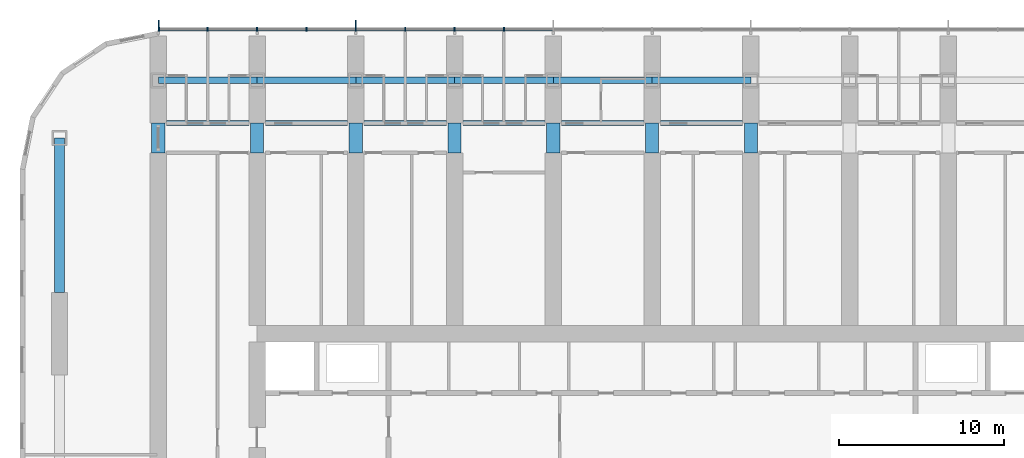
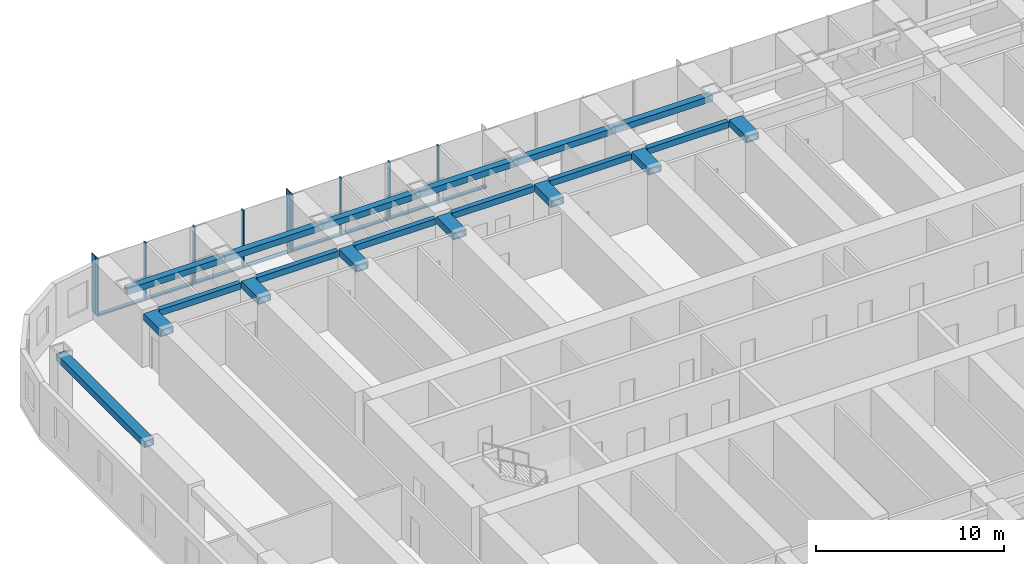
# One storey, part 4 of 23: 20 beams, 18 members, 1 element without a shape of its own.
"""IFC4 building model written with IfcOpenShell, lengths in metres."""

from ifc_helpers import new_model, si_unit, direction, frame, origin, origin_2d, place, context, subcontext, project, spatial, rectangle, hollow_rectangle, extrude, material, material_profile, profile_set, type_object, element, aggregate, save


model = new_model("IFC4")

# Units and contexts
model_context = context("Model", 3, precision=1e-05, world=origin(), true_north=direction((0.0, 1.0)))
body_context = subcontext(model_context, "Body", "Model", "MODEL_VIEW")
ifc_project = project(units=[si_unit("LENGTHUNIT", "METRE"), si_unit("AREAUNIT", "SQUARE_METRE"), si_unit("VOLUMEUNIT", "CUBIC_METRE"), si_unit("PLANEANGLEUNIT", "RADIAN"), si_unit("MASSUNIT", "GRAM", prefix="KILO")], contexts=[model_context])

# Site, building, storey
site_placement = place(None, origin())
site = spatial("IfcSite", under=ifc_project, at=site_placement, CompositionType="ELEMENT")
building_placement = place(site_placement, origin())
building = spatial("IfcBuilding", under=site, at=building_placement, Name="Orbita Commons", CompositionType="ELEMENT")
storey_placement = place(building_placement, frame((0.0, 0.0, 46.449951171875)))
storey = spatial("IfcBuildingStorey", under=building, at=storey_placement, Name="L11", CompositionType="ELEMENT", Elevation=46.449951171875)

# Curtain wall, members
ifc_material_1 = material(Name="Anodised aluminium frame, pale silver", Category="aluminium")
curtain_wall_type = type_object("IfcCurtainWallType", Name="Unitised curtain wall CW-T, vision and spandrel", PredefinedType="NOTDEFINED", material=ifc_material_1)
curtain_wall_placement = place(storey_placement, origin())
curtain_wall = element("IfcCurtainWall", 1, at=curtain_wall_placement, inside=storey, type_object=curtain_wall_type, Name="Curtain wall north L11", PredefinedType="NOTDEFINED")
ifc_material_2 = material(Name="Anodised aluminium, pale silver", Category="aluminium")
ifc_material_profile_1 = material_profile(ifc_material_2, rectangle(XDim=0.080078125, YDim=0.219970703125, at=origin_2d()), Name="AL 80x220")
ifc_profile_set_1 = profile_set([ifc_material_profile_1], Name="Anodised aluminium, pale silver")
member_type_1 = type_object("IfcMemberType", Name="Curtain wall mullion 80x220", PredefinedType="MULLION", material=ifc_profile_set_1)
member_1_placement = place(storey_placement, frame((33.0, 56.7099609375, -0.25), z_axis=(0.0, 0.0, 1.0), x_axis=(-1.0, 0.0, 0.0)))
member_1 = element("IfcMember", 2, at=member_1_placement, type_object=member_type_1, Name="Mullion 14 CW-L11-N", PredefinedType="MULLION", context=body_context, shape_type="SweptSolid", body=[
    extrude(rectangle(XDim=0.080078125, YDim=0.219970703125, at=origin_2d()), origin(), (0.0, 0.0, 1.0), 3.75),
])
member_2_placement = place(storey_placement, frame((30.0, 56.7099609375, -0.25), z_axis=(0.0, 0.0, 1.0), x_axis=(-1.0, 0.0, 0.0)))
member_2 = element("IfcMember", 3, at=member_2_placement, type_object=member_type_1, Name="Mullion 15 CW-L11-N", PredefinedType="MULLION", context=body_context, shape_type="SweptSolid", body=[
    extrude(rectangle(XDim=0.080078125, YDim=0.219970703125, at=origin_2d()), origin(), (0.0, 0.0, 1.0), 3.75),
])
member_3_placement = place(storey_placement, frame((27.0, 56.7099609375, -0.25), z_axis=(0.0, 0.0, 1.0), x_axis=(-1.0, 0.0, 0.0)))
member_3 = element("IfcMember", 4, at=member_3_placement, type_object=member_type_1, Name="Mullion 16 CW-L11-N", PredefinedType="MULLION", context=body_context, shape_type="SweptSolid", body=[
    extrude(rectangle(XDim=0.080078125, YDim=0.219970703125, at=origin_2d()), origin(), (0.0, 0.0, 1.0), 3.75),
])
member_4_placement = place(storey_placement, frame((24.0, 56.7099609375, -0.25), z_axis=(0.0, 0.0, 1.0), x_axis=(-1.0, 0.0, 0.0)))
member_4 = element("IfcMember", 5, at=member_4_placement, type_object=member_type_1, Name="Mullion 17 CW-L11-N", PredefinedType="MULLION", context=body_context, shape_type="SweptSolid", body=[
    extrude(rectangle(XDim=0.080078125, YDim=0.219970703125, at=origin_2d()), origin(), (0.0, 0.0, 1.0), 3.75),
])
member_5_placement = place(storey_placement, frame((21.0, 56.7099609375, -0.25), z_axis=(0.0, 0.0, 1.0), x_axis=(-1.0, 0.0, 0.0)))
member_5 = element("IfcMember", 6, at=member_5_placement, type_object=member_type_1, Name="Mullion 18 CW-L11-N", PredefinedType="MULLION", context=body_context, shape_type="SweptSolid", body=[
    extrude(rectangle(XDim=0.080078125, YDim=0.219970703125, at=origin_2d()), origin(), (0.0, 0.0, 1.0), 3.75),
])
member_6_placement = place(storey_placement, frame((18.0, 56.7099609375, -0.25), z_axis=(0.0, 0.0, 1.0), x_axis=(-1.0, 0.0, 0.0)))
member_6 = element("IfcMember", 7, at=member_6_placement, type_object=member_type_1, Name="Mullion 19 CW-L11-N", PredefinedType="MULLION", context=body_context, shape_type="SweptSolid", body=[
    extrude(rectangle(XDim=0.080078125, YDim=0.219970703125, at=origin_2d()), origin(), (0.0, 0.0, 1.0), 3.75),
])
member_7_placement = place(storey_placement, frame((15.0, 56.7099609375, -0.25), z_axis=(0.0, 0.0, 1.0), x_axis=(-1.0, 0.0, 0.0)))
member_7 = element("IfcMember", 8, at=member_7_placement, type_object=member_type_1, Name="Mullion 20 CW-L11-N", PredefinedType="MULLION", context=body_context, shape_type="SweptSolid", body=[
    extrude(rectangle(XDim=0.080078125, YDim=0.219970703125, at=origin_2d()), origin(), (0.0, 0.0, 1.0), 3.75),
])
member_8_placement = place(storey_placement, frame((12.0400390625, 56.7099609375, -0.25), z_axis=(0.0, 0.0, 1.0), x_axis=(-1.0, 0.0, 0.0)))
member_8 = element("IfcMember", 9, at=member_8_placement, type_object=member_type_1, Name="Mullion 21 CW-L11-N", PredefinedType="MULLION", context=body_context, shape_type="SweptSolid", body=[
    extrude(rectangle(XDim=0.080078125, YDim=0.219970703125, at=origin_2d()), origin(), (0.0, 0.0, 1.0), 3.75),
])
ifc_material_3 = material(Name="Anodised aluminium, pale silver", Category="aluminium")
ifc_material_profile_2 = material_profile(ifc_material_3, rectangle(XDim=0.219970703125, YDim=0.10009765625, at=origin_2d()), Name="AL 220x100")
ifc_profile_set_2 = profile_set([ifc_material_profile_2], Name="Anodised aluminium, pale silver")
member_type_2 = type_object("IfcMemberType", Name="Curtain wall stack transom 220x100", PredefinedType="USERDEFINED", material=ifc_profile_set_2)
member_9_placement = place(storey_placement, frame((35.9599609375, 56.7099609375, -0.199951171875), z_axis=(-1.0, 0.0, 0.0), x_axis=(0.0, -1.0, 0.0)))
member_9 = element("IfcMember", 10, at=member_9_placement, type_object=member_type_2, Name="Transom 13.1 CW-L11-N", ObjectType="TRANSOM", PredefinedType="USERDEFINED", context=body_context, shape_type="SweptSolid", body=[
    extrude(rectangle(XDim=0.219970703125, YDim=0.10009765625, at=origin_2d()), origin(), (0.0, 0.0, 1.0), 2.919921875),
])
member_10_placement = place(storey_placement, frame((32.9599609375, 56.7099609375, -0.199951171875), z_axis=(-1.0, 0.0, 0.0), x_axis=(0.0, -1.0, 0.0)))
member_10 = element("IfcMember", 11, at=member_10_placement, type_object=member_type_2, Name="Transom 14.1 CW-L11-N", ObjectType="TRANSOM", PredefinedType="USERDEFINED", context=body_context, shape_type="SweptSolid", body=[
    extrude(rectangle(XDim=0.219970703125, YDim=0.10009765625, at=origin_2d()), origin(), (0.0, 0.0, 1.0), 2.919921875),
])
member_11_placement = place(storey_placement, frame((29.9599609375, 56.7099609375, -0.199951171875), z_axis=(-1.0, 0.0, 0.0), x_axis=(0.0, -1.0, 0.0)))
member_11 = element("IfcMember", 12, at=member_11_placement, type_object=member_type_2, Name="Transom 15.1 CW-L11-N", ObjectType="TRANSOM", PredefinedType="USERDEFINED", context=body_context, shape_type="SweptSolid", body=[
    extrude(rectangle(XDim=0.219970703125, YDim=0.10009765625, at=origin_2d()), origin(), (0.0, 0.0, 1.0), 2.919921875),
])
member_12_placement = place(storey_placement, frame((26.9599609375, 56.7099609375, -0.199951171875), z_axis=(-1.0, 0.0, 0.0), x_axis=(0.0, -1.0, 0.0)))
member_12 = element("IfcMember", 13, at=member_12_placement, type_object=member_type_2, Name="Transom 16.1 CW-L11-N", ObjectType="TRANSOM", PredefinedType="USERDEFINED", context=body_context, shape_type="SweptSolid", body=[
    extrude(rectangle(XDim=0.219970703125, YDim=0.10009765625, at=origin_2d()), origin(), (0.0, 0.0, 1.0), 2.919921875),
])
member_13_placement = place(storey_placement, frame((23.9599609375, 56.7099609375, -0.199951171875), z_axis=(-1.0, 0.0, 0.0), x_axis=(0.0, -1.0, 0.0)))
member_13 = element("IfcMember", 14, at=member_13_placement, type_object=member_type_2, Name="Transom 17.1 CW-L11-N", ObjectType="TRANSOM", PredefinedType="USERDEFINED", context=body_context, shape_type="SweptSolid", body=[
    extrude(rectangle(XDim=0.219970703125, YDim=0.10009765625, at=origin_2d()), origin(), (0.0, 0.0, 1.0), 2.919921875),
])
member_14_placement = place(storey_placement, frame((20.9599609375, 56.7099609375, -0.199951171875), z_axis=(-1.0, 0.0, 0.0), x_axis=(0.0, -1.0, 0.0)))
member_14 = element("IfcMember", 15, at=member_14_placement, type_object=member_type_2, Name="Transom 18.1 CW-L11-N", ObjectType="TRANSOM", PredefinedType="USERDEFINED", context=body_context, shape_type="SweptSolid", body=[
    extrude(rectangle(XDim=0.219970703125, YDim=0.10009765625, at=origin_2d()), origin(), (0.0, 0.0, 1.0), 2.919921875),
])
member_15_placement = place(storey_placement, frame((17.9599609375, 56.7099609375, -0.199951171875), z_axis=(-1.0, 0.0, 0.0), x_axis=(0.0, -1.0, 0.0)))
member_15 = element("IfcMember", 16, at=member_15_placement, type_object=member_type_2, Name="Transom 19.1 CW-L11-N", ObjectType="TRANSOM", PredefinedType="USERDEFINED", context=body_context, shape_type="SweptSolid", body=[
    extrude(rectangle(XDim=0.219970703125, YDim=0.10009765625, at=origin_2d()), origin(), (0.0, 0.0, 1.0), 2.919921875),
])
member_16_placement = place(storey_placement, frame((14.9599609375, 56.7099609375, -0.199951171875), z_axis=(-1.0, 0.0, 0.0), x_axis=(0.0, -1.0, 0.0)))
member_16 = element("IfcMember", 17, at=member_16_placement, type_object=member_type_2, Name="Transom 20.1 CW-L11-N", ObjectType="TRANSOM", PredefinedType="USERDEFINED", context=body_context, shape_type="SweptSolid", body=[
    extrude(rectangle(XDim=0.219970703125, YDim=0.10009765625, at=origin_2d()), origin(), (0.0, 0.0, 1.0), 2.8798828125),
])

# Beams
ifc_material_4 = material(Name="Steel ASTM A572 Gr 50 welded plate", Category="steel")
ifc_material_profile_3 = material_profile(ifc_material_4, hollow_rectangle(XDim=0.300048828125, YDim=0.39990234375, WallThickness=0.0400390625, at=origin_2d()), Name="BOX 400x300x40")
ifc_profile_set_3 = profile_set([ifc_material_profile_3], Name="Steel ASTM A572 Gr 50 welded plate")
beam_type_1 = type_object("IfcBeamType", Name="Steel corridor link BOX 400x300x40", PredefinedType="BEAM", material=ifc_profile_set_3)
for number, where, z_axis, x_axis, name in (
    (18, (12.5, 51.0, 3.300048828125), (1.0, 0.0, 0.0), (0.0, 1.0, 0.0), "Corridor beam NB 3-4 L11"),
    (19, (18.5, 51.0, 3.300048828125), (1.0, 0.0, 0.0), (0.0, 1.0, 0.0), "Corridor beam NB 4-5 L11"),
    (20, (24.5, 51.0, 3.300048828125), (1.0, 0.0, 0.0), (0.0, 1.0, 0.0), "Corridor beam NB 5-6 L11"),
    (21, (30.5, 51.0, 3.300048828125), (1.0, 0.0, 0.0), (0.0, 1.0, 0.0), "Corridor beam NB 6-7 L11"),
    (22, (36.5, 51.0, 3.300048828125), (1.0, 0.0, 0.0), (0.0, 1.0, 0.0), "Corridor beam NB 7-8 L11"),
    (23, (42.5, 51.0, 3.300048828125), (1.0, 0.0, 0.0), (0.0, 1.0, 0.0), "Corridor beam NB 8-9 L11"),
):
    element("IfcBeam", number, at=place(storey_placement, frame(where, z_axis=z_axis, x_axis=x_axis)), inside=storey, type_object=beam_type_1, Name=name, PredefinedType="BEAM", context=body_context, shape_type="SweptSolid", body=[
        extrude(hollow_rectangle(XDim=0.300048828125, YDim=0.39990234375, WallThickness=0.0400390625, at=origin_2d()), origin(), (0.0, 0.0, 1.0), 5.0),
    ])
ifc_material_5 = material(Name="Steel ASTM A572 Gr 50 welded plate", Category="steel")
ifc_material_profile_4 = material_profile(ifc_material_5, hollow_rectangle(XDim=0.800048828125, YDim=0.449951171875, WallThickness=0.06005859375, at=origin_2d()), Name="BOX 450x800x60")
ifc_profile_set_4 = profile_set([ifc_material_profile_4], Name="Steel ASTM A572 Gr 50 welded plate")
beam_type_2 = type_object("IfcBeamType", Name="Steel coupling link BOX 450x800x60", PredefinedType="LINTEL", material=ifc_profile_set_4)
for number, where, z_axis, x_axis, name in (
    (24, (12.0, 49.199951171875, 3.275146484375), (0.0, 1.0, 0.0), (-1.0, 0.0, 0.0), "Coupling beam 3 north L11"),
    (25, (18.0, 49.199951171875, 3.275146484375), (0.0, 1.0, 0.0), (-1.0, 0.0, 0.0), "Coupling beam 4 north L11"),
    (26, (24.0, 49.199951171875, 3.275146484375), (0.0, 1.0, 0.0), (-1.0, 0.0, 0.0), "Coupling beam 5 north L11"),
    (27, (30.0, 49.199951171875, 3.275146484375), (0.0, 1.0, 0.0), (-1.0, 0.0, 0.0), "Coupling beam 6 north L11"),
    (28, (36.0, 49.199951171875, 3.275146484375), (0.0, 1.0, 0.0), (-1.0, 0.0, 0.0), "Coupling beam 7 north L11"),
    (29, (42.0, 49.199951171875, 3.275146484375), (0.0, 1.0, 0.0), (-1.0, 0.0, 0.0), "Coupling beam 8 north L11"),
    (30, (48.0, 49.199951171875, 3.275146484375), (0.0, 1.0, 0.0), (-1.0, 0.0, 0.0), "Coupling beam 9 north L11"),
):
    element("IfcBeam", number, at=place(storey_placement, frame(where, z_axis=z_axis, x_axis=x_axis)), inside=storey, type_object=beam_type_2, Name=name, PredefinedType="LINTEL", context=body_context, shape_type="SweptSolid", body=[
        extrude(hollow_rectangle(XDim=0.800048828125, YDim=0.449951171875, WallThickness=0.06005859375, at=origin_2d()), origin(), (0.0, 0.0, 1.0), 1.800048828125),
    ])
ifc_material_6 = material(Name="Steel ASTM A572 Gr 50 welded plate", Category="steel")
ifc_material_profile_5 = material_profile(ifc_material_6, hollow_rectangle(XDim=0.60009765625, YDim=0.449951171875, WallThickness=0.06005859375, at=origin_2d()), Name="BOX 450x600x60")
ifc_profile_set_5 = profile_set([ifc_material_profile_5], Name="Steel ASTM A572 Gr 50 welded plate")
beam_type_3 = type_object("IfcBeamType", Name="Steel end frame link BOX 450x600x60", PredefinedType="BEAM", material=ifc_profile_set_5)
beam_placement = place(storey_placement, frame((6.0, 40.699951171875, 3.275146484375), z_axis=(0.0, 1.0, 0.0), x_axis=(-1.0, 0.0, 0.0)))
element("IfcBeam", 31, at=beam_placement, inside=storey, type_object=beam_type_3, Name="End frame beam 2 D-E L11", PredefinedType="BEAM", context=body_context, shape_type="SweptSolid", body=[
    extrude(hollow_rectangle(XDim=0.60009765625, YDim=0.449951171875, WallThickness=0.06005859375, at=origin_2d()), origin(), (0.0, 0.0, 1.0), 9.400146484375),
])
ifc_material_7 = material(Name="Steel ASTM A572 Gr 50 welded plate", Category="steel")
ifc_material_profile_6 = material_profile(ifc_material_7, hollow_rectangle(XDim=0.39990234375, YDim=0.39990234375, WallThickness=0.0400390625, at=origin_2d()), Name="BOX 400x400x40")
ifc_profile_set_6 = profile_set([ifc_material_profile_6], Name="Steel ASTM A572 Gr 50 welded plate")
beam_type_4 = type_object("IfcBeamType", Name="Steel spandrel BOX 400x400x40", PredefinedType="SPANDREL", material=ifc_profile_set_6)
for number, where, z_axis, x_axis, name in (
    (32, (12.0, 53.60009765625, 3.300048828125), (1.0, 0.0, 0.0), (0.0, 1.0, 0.0), "Spandrel beam E 3-4 L11"),
    (33, (18.0, 53.60009765625, 3.300048828125), (1.0, 0.0, 0.0), (0.0, 1.0, 0.0), "Spandrel beam E 4-5 L11"),
    (34, (24.0, 53.60009765625, 3.300048828125), (1.0, 0.0, 0.0), (0.0, 1.0, 0.0), "Spandrel beam E 5-6 L11"),
    (35, (30.0, 53.60009765625, 3.300048828125), (1.0, 0.0, 0.0), (0.0, 1.0, 0.0), "Spandrel beam E 6-7 L11"),
    (36, (36.0, 53.60009765625, 3.300048828125), (1.0, 0.0, 0.0), (0.0, 1.0, 0.0), "Spandrel beam E 7-8 L11"),
    (37, (42.0, 53.60009765625, 3.300048828125), (1.0, 0.0, 0.0), (0.0, 1.0, 0.0), "Spandrel beam E 8-9 L11"),
):
    element("IfcBeam", number, at=place(storey_placement, frame(where, z_axis=z_axis, x_axis=x_axis)), inside=storey, type_object=beam_type_4, Name=name, PredefinedType="SPANDREL", context=body_context, shape_type="SweptSolid", body=[
        extrude(hollow_rectangle(XDim=0.39990234375, YDim=0.39990234375, WallThickness=0.0400390625, at=origin_2d()), origin(), (0.0, 0.0, 1.0), 6.0),
    ])

# Member
ifc_material_8 = material(Name="Anodised aluminium, pale silver", Category="aluminium")
ifc_material_profile_7 = material_profile(ifc_material_8, rectangle(XDim=0.06005859375, YDim=0.449951171875, at=origin_2d()), Name="FIN 60x450")
ifc_profile_set_7 = profile_set([ifc_material_profile_7], Name="Anodised aluminium, pale silver")
member_type_3 = type_object("IfcMemberType", Name="Vertical fin 60x450 pale aluminium", PredefinedType="USERDEFINED", material=ifc_profile_set_7)
member_17_placement = place(storey_placement, frame((24.0, 57.044921875, -0.25), z_axis=(0.0, 0.0, 1.0), x_axis=(-1.0, 0.0, 0.0)))
member_17 = element("IfcMember", 38, at=member_17_placement, type_object=member_type_3, Name="Fin 17 CW-L11-N", ObjectType="FIN", PredefinedType="USERDEFINED", context=body_context, shape_type="SweptSolid", body=[
    extrude(rectangle(XDim=0.06005859375, YDim=0.449951171875, at=origin_2d()), origin(), (0.0, 0.0, 1.0), 3.75),
])

member_18_placement = place(storey_placement, frame((12.0400390625, 57.044921875, -0.25), z_axis=(0.0, 0.0, 1.0), x_axis=(-1.0, 0.0, 0.0)))
member_18 = element("IfcMember", 39, at=member_18_placement, type_object=member_type_3, Name="Fin 21 CW-L11-N", ObjectType="FIN", PredefinedType="USERDEFINED", context=body_context, shape_type="SweptSolid", body=[
    extrude(rectangle(XDim=0.06005859375, YDim=0.449951171875, at=origin_2d()), origin(), (0.0, 0.0, 1.0), 3.75),
])

aggregate(curtain_wall, [member_1, member_2, member_3, member_4, member_17, member_5, member_6, member_7, member_8, member_18, member_9, member_10, member_11, member_12, member_13, member_14, member_15, member_16])

save(model, "model.ifc")
